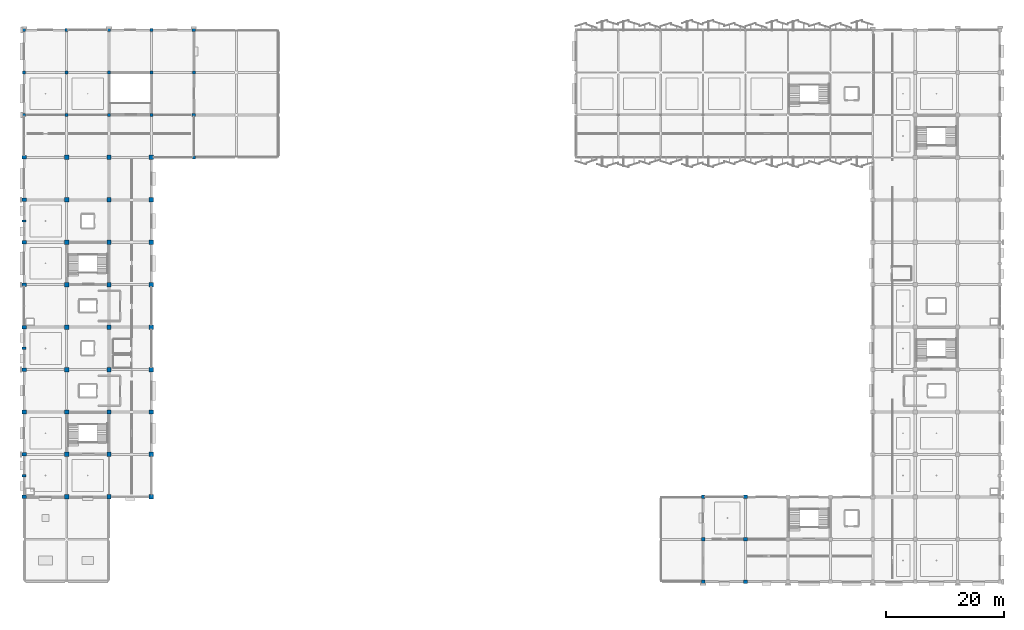
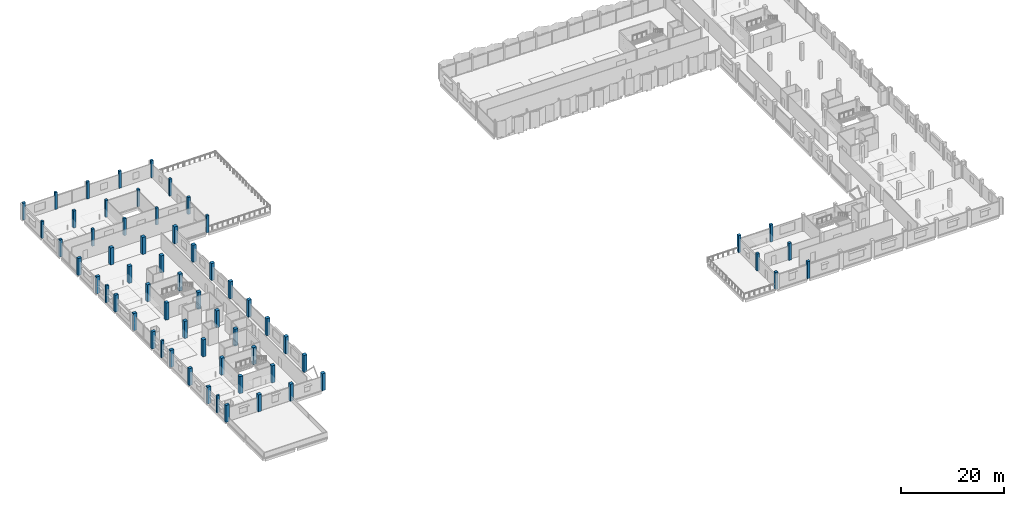
# One storey, part 1 of 91: 61 columns.
"""IFC4 building model written with IfcOpenShell, lengths in metres."""

from ifc_helpers import new_model, si_unit, direction, frame, origin, origin_2d, place, context, subcontext, project, spatial, rectangle, extrude, material, material_profile, profile_set, type_object, element, save


model = new_model("IFC4")

# Units and contexts
model_context = context("Model", 3, precision=1e-05, world=origin(), true_north=direction((0.0, 1.0)))
body_context = subcontext(model_context, "Body", "Model", "MODEL_VIEW")
ifc_project = project(units=[si_unit("LENGTHUNIT", "METRE"), si_unit("AREAUNIT", "SQUARE_METRE"), si_unit("VOLUMEUNIT", "CUBIC_METRE"), si_unit("PLANEANGLEUNIT", "RADIAN"), si_unit("MASSUNIT", "GRAM", prefix="KILO")], contexts=[model_context])

# Site, building, storey
site_placement = place(None, origin())
site = spatial("IfcSite", under=ifc_project, at=site_placement, CompositionType="ELEMENT")
building_placement = place(site_placement, origin())
building = spatial("IfcBuilding", under=site, at=building_placement, Name="Kangsadwip Square Police Headquarters", CompositionType="ELEMENT")
storey_placement = place(building_placement, frame((0.0, 0.0, 13.5)))
storey = spatial("IfcBuildingStorey", under=building, at=storey_placement, Name="L03", CompositionType="ELEMENT", Elevation=13.5)

# Columns
ifc_material_1 = material(Name="Concrete M35 (35 MPa)", Category="concrete")
ifc_material_profile_1 = material_profile(ifc_material_1, rectangle(XDim=0.5, YDim=0.5, at=origin_2d()), Name="RC COL 500X500")
ifc_profile_set_1 = profile_set([ifc_material_profile_1], Name="Concrete M35 (35 MPa)")
column_type_1 = type_object("IfcColumnType", Name="RcCol500x500", PredefinedType="COLUMN", material=ifc_profile_set_1)
for number, where, z_axis, x_axis, name in (
    (1, (0.0, 108.0, 0.0), (0.0, 0.0, 1.0), (1.0, 0.0, 0.0), "Column COL-L03-00-15"),
    (2, (7.199951171875, 100.800048828125, 0.0), (0.0, 0.0, 1.0), (1.0, 0.0, 0.0), "Column COL-L03-01-14"),
    (3, (7.199951171875, 115.199951171875, 0.0), (0.0, 0.0, 1.0), (1.0, 0.0, 0.0), "Column COL-L03-01-16"),
    (4, (14.39990234375, 108.0, 0.0), (0.0, 0.0, 1.0), (1.0, 0.0, 0.0), "Column COL-L03-02-15"),
    (5, (21.60009765625, 100.800048828125, 0.0), (0.0, 0.0, 1.0), (1.0, 0.0, 0.0), "Column COL-L03-03-14"),
    (6, (21.60009765625, 115.199951171875, 0.0), (0.0, 0.0, 1.0), (1.0, 0.0, 0.0), "Column COL-L03-03-16"),
    (7, (28.800048828125, 93.60009765625, 0.0), (0.0, 0.0, 1.0), (1.0, 0.0, 0.0), "Column COL-L03-04-13"),
    (8, (28.800048828125, 108.0, 0.0), (0.0, 0.0, 1.0), (1.0, 0.0, 0.0), "Column COL-L03-04-15"),
):
    element("IfcColumn", number, at=place(storey_placement, frame(where, z_axis=z_axis, x_axis=x_axis)), inside=storey, type_object=column_type_1, Name=name, PredefinedType="COLUMN", context=body_context, shape_type="SweptSolid", body=[
        extrude(rectangle(XDim=0.5, YDim=0.5, at=origin_2d()), origin(), (0.0, 0.0, 1.0), 4.050048828125),
    ])
ifc_material_2 = material(Name="Concrete M35 (35 MPa)", Category="concrete")
ifc_material_profile_2 = material_profile(ifc_material_2, rectangle(XDim=0.550048828125, YDim=0.550048828125, at=origin_2d()), Name="RC COL 550X550")
ifc_profile_set_2 = profile_set([ifc_material_profile_2], Name="Concrete M35 (35 MPa)")
column_type_2 = type_object("IfcColumnType", Name="RcCol550x550", PredefinedType="COLUMN", material=ifc_profile_set_2)
for number, where, z_axis, x_axis, name in (
    (9, (0.0, 100.800048828125, 0.0), (0.0, 0.0, 1.0), (1.0, 0.0, 0.0), "Column COL-L03-00-14"),
    (10, (0.0, 115.199951171875, 0.0), (0.0, 0.0, 1.0), (1.0, 0.0, 0.0), "Column COL-L03-00-16"),
    (11, (7.199951171875, 108.0, 0.0), (0.0, 0.0, 1.0), (1.0, 0.0, 0.0), "Column COL-L03-01-15"),
    (12, (14.39990234375, 100.800048828125, 0.0), (0.0, 0.0, 1.0), (1.0, 0.0, 0.0), "Column COL-L03-02-14"),
    (13, (14.39990234375, 115.199951171875, 0.0), (0.0, 0.0, 1.0), (1.0, 0.0, 0.0), "Column COL-L03-02-16"),
    (14, (21.60009765625, 108.0, 0.0), (0.0, 0.0, 1.0), (1.0, 0.0, 0.0), "Column COL-L03-03-15"),
    (15, (28.800048828125, 100.800048828125, 0.0), (0.0, 0.0, 1.0), (1.0, 0.0, 0.0), "Column COL-L03-04-14"),
    (16, (28.800048828125, 115.199951171875, 0.0), (0.0, 0.0, 1.0), (1.0, 0.0, 0.0), "Column COL-L03-04-16"),
):
    element("IfcColumn", number, at=place(storey_placement, frame(where, z_axis=z_axis, x_axis=x_axis)), inside=storey, type_object=column_type_2, Name=name, PredefinedType="COLUMN", context=body_context, shape_type="SweptSolid", body=[
        extrude(rectangle(XDim=0.550048828125, YDim=0.550048828125, at=origin_2d()), origin(), (0.0, 0.0, 1.0), 4.050048828125),
    ])
ifc_material_3 = material(Name="Concrete M35 (35 MPa)", Category="concrete")
ifc_material_profile_3 = material_profile(ifc_material_3, rectangle(XDim=0.60009765625, YDim=0.60009765625, at=origin_2d()), Name="RC COL 600X600")
ifc_profile_set_3 = profile_set([ifc_material_profile_3], Name="Concrete M35 (35 MPa)")
column_type_3 = type_object("IfcColumnType", Name="RcCol600x600", PredefinedType="COLUMN", material=ifc_profile_set_3)
for number, where, z_axis, x_axis, name in (
    (17, (115.199951171875, 21.60009765625, 0.0), (0.0, 0.0, 1.0), (1.0, 0.0, 0.0), "Column COL-L03-16-03"),
    (18, (115.199951171875, 28.800048828125, 0.0), (0.0, 0.0, 1.0), (1.0, 0.0, 0.0), "Column COL-L03-16-04"),
    (19, (115.199951171875, 36.0, 0.0), (0.0, 0.0, 1.0), (1.0, 0.0, 0.0), "Column COL-L03-16-05"),
    (20, (122.39990234375, 21.60009765625, 0.0), (0.0, 0.0, 1.0), (1.0, 0.0, 0.0), "Column COL-L03-17-03"),
    (21, (122.39990234375, 28.800048828125, 0.0), (0.0, 0.0, 1.0), (1.0, 0.0, 0.0), "Column COL-L03-17-04"),
    (22, (122.39990234375, 36.0, 0.0), (0.0, 0.0, 1.0), (1.0, 0.0, 0.0), "Column COL-L03-17-05"),
):
    element("IfcColumn", number, at=place(storey_placement, frame(where, z_axis=z_axis, x_axis=x_axis)), inside=storey, type_object=column_type_3, Name=name, PredefinedType="COLUMN", context=body_context, shape_type="SweptSolid", body=[
        extrude(rectangle(XDim=0.60009765625, YDim=0.60009765625, at=origin_2d()), origin(), (0.0, 0.0, 1.0), 4.050048828125),
    ])
ifc_material_4 = material(Name="Concrete M40 (40 MPa)", Category="concrete")
ifc_material_profile_4 = material_profile(ifc_material_4, rectangle(XDim=0.75, YDim=0.75, at=origin_2d()), Name="RC COL 750X750")
ifc_profile_set_4 = profile_set([ifc_material_profile_4], Name="Concrete M40 (40 MPa)")
column_type_4 = type_object("IfcColumnType", Name="RcCol750x750", PredefinedType="COLUMN", material=ifc_profile_set_4)
for number, where, z_axis, x_axis, name in (
    (23, (7.199951171875, 36.0, 0.0), (0.0, 0.0, 1.0), (1.0, 0.0, 0.0), "Column COL-L03-01-05"),
    (24, (7.199951171875, 43.199951171875, 0.0), (0.0, 0.0, 1.0), (1.0, 0.0, 0.0), "Column COL-L03-01-06"),
    (25, (7.199951171875, 50.39990234375, 0.0), (0.0, 0.0, 1.0), (1.0, 0.0, 0.0), "Column COL-L03-01-07"),
    (26, (7.199951171875, 57.60009765625, 0.0), (0.0, 0.0, 1.0), (1.0, 0.0, 0.0), "Column COL-L03-01-08"),
    (27, (7.199951171875, 64.800048828125, 0.0), (0.0, 0.0, 1.0), (1.0, 0.0, 0.0), "Column COL-L03-01-09"),
    (28, (7.199951171875, 72.0, 0.0), (0.0, 0.0, 1.0), (1.0, 0.0, 0.0), "Column COL-L03-01-10"),
    (29, (7.199951171875, 79.199951171875, 0.0), (0.0, 0.0, 1.0), (1.0, 0.0, 0.0), "Column COL-L03-01-11"),
    (30, (7.199951171875, 86.39990234375, 0.0), (0.0, 0.0, 1.0), (1.0, 0.0, 0.0), "Column COL-L03-01-12"),
    (31, (7.199951171875, 93.60009765625, 0.0), (0.0, 0.0, 1.0), (1.0, 0.0, 0.0), "Column COL-L03-01-13"),
    (32, (14.39990234375, 36.0, 0.0), (0.0, 0.0, 1.0), (1.0, 0.0, 0.0), "Column COL-L03-02-05"),
    (33, (14.39990234375, 43.199951171875, 0.0), (0.0, 0.0, 1.0), (1.0, 0.0, 0.0), "Column COL-L03-02-06"),
    (34, (14.39990234375, 50.39990234375, 0.0), (0.0, 0.0, 1.0), (1.0, 0.0, 0.0), "Column COL-L03-02-07"),
    (35, (14.39990234375, 57.60009765625, 0.0), (0.0, 0.0, 1.0), (1.0, 0.0, 0.0), "Column COL-L03-02-08"),
    (36, (14.39990234375, 64.800048828125, 0.0), (0.0, 0.0, 1.0), (1.0, 0.0, 0.0), "Column COL-L03-02-09"),
    (37, (14.39990234375, 72.0, 0.0), (0.0, 0.0, 1.0), (1.0, 0.0, 0.0), "Column COL-L03-02-10"),
    (38, (14.39990234375, 79.199951171875, 0.0), (0.0, 0.0, 1.0), (1.0, 0.0, 0.0), "Column COL-L03-02-11"),
    (39, (14.39990234375, 86.39990234375, 0.0), (0.0, 0.0, 1.0), (1.0, 0.0, 0.0), "Column COL-L03-02-12"),
    (40, (14.39990234375, 93.60009765625, 0.0), (0.0, 0.0, 1.0), (1.0, 0.0, 0.0), "Column COL-L03-02-13"),
    (41, (21.60009765625, 36.0, 0.0), (0.0, 0.0, 1.0), (1.0, 0.0, 0.0), "Column COL-L03-03-05"),
    (42, (21.60009765625, 43.199951171875, 0.0), (0.0, 0.0, 1.0), (1.0, 0.0, 0.0), "Column COL-L03-03-06"),
    (43, (21.60009765625, 50.39990234375, 0.0), (0.0, 0.0, 1.0), (1.0, 0.0, 0.0), "Column COL-L03-03-07"),
    (44, (21.60009765625, 57.60009765625, 0.0), (0.0, 0.0, 1.0), (1.0, 0.0, 0.0), "Column COL-L03-03-08"),
    (45, (21.60009765625, 64.800048828125, 0.0), (0.0, 0.0, 1.0), (1.0, 0.0, 0.0), "Column COL-L03-03-09"),
    (46, (21.60009765625, 72.0, 0.0), (0.0, 0.0, 1.0), (1.0, 0.0, 0.0), "Column COL-L03-03-10"),
    (47, (21.60009765625, 79.199951171875, 0.0), (0.0, 0.0, 1.0), (1.0, 0.0, 0.0), "Column COL-L03-03-11"),
    (48, (21.60009765625, 86.39990234375, 0.0), (0.0, 0.0, 1.0), (1.0, 0.0, 0.0), "Column COL-L03-03-12"),
    (49, (21.60009765625, 93.60009765625, 0.0), (0.0, 0.0, 1.0), (1.0, 0.0, 0.0), "Column COL-L03-03-13"),
):
    element("IfcColumn", number, at=place(storey_placement, frame(where, z_axis=z_axis, x_axis=x_axis)), inside=storey, type_object=column_type_4, Name=name, PredefinedType="COLUMN", context=body_context, shape_type="SweptSolid", body=[
        extrude(rectangle(XDim=0.75, YDim=0.75, at=origin_2d()), origin(), (0.0, 0.0, 1.0), 4.050048828125),
    ])
ifc_material_5 = material(Name="Concrete M40 (40 MPa)", Category="concrete")
ifc_material_profile_5 = material_profile(ifc_material_5, rectangle(XDim=0.60009765625, YDim=0.800048828125, at=origin_2d()), Name="RC COL 800X600")
ifc_profile_set_5 = profile_set([ifc_material_profile_5], Name="Concrete M40 (40 MPa)")
column_type_5 = type_object("IfcColumnType", Name="RcCol800x600", PredefinedType="COLUMN", material=ifc_profile_set_5)
for number, where, z_axis, x_axis, name in (
    (50, (0.0, 36.0, 0.0), (0.0, 0.0, 1.0), (0.0, 1.0, 0.0), "Column COL-L03-00-05"),
    (51, (0.0, 43.199951171875, 0.0), (0.0, 0.0, 1.0), (0.0, 1.0, 0.0), "Column COL-L03-00-06"),
    (52, (0.0, 50.39990234375, 0.0), (0.0, 0.0, 1.0), (0.0, 1.0, 0.0), "Column COL-L03-00-07"),
    (53, (0.0, 57.60009765625, 0.0), (0.0, 0.0, 1.0), (0.0, 1.0, 0.0), "Column COL-L03-00-08"),
    (54, (0.0, 64.800048828125, 0.0), (0.0, 0.0, 1.0), (0.0, 1.0, 0.0), "Column COL-L03-00-09"),
    (55, (0.0, 72.0, 0.0), (0.0, 0.0, 1.0), (0.0, 1.0, 0.0), "Column COL-L03-00-10"),
    (56, (0.0, 79.199951171875, 0.0), (0.0, 0.0, 1.0), (0.0, 1.0, 0.0), "Column COL-L03-00-11"),
    (57, (0.0, 86.39990234375, 0.0), (0.0, 0.0, 1.0), (0.0, 1.0, 0.0), "Column COL-L03-00-12"),
    (58, (0.0, 93.60009765625, 0.0), (0.0, 0.0, 1.0), (0.0, 1.0, 0.0), "Column COL-L03-00-13"),
):
    element("IfcColumn", number, at=place(storey_placement, frame(where, z_axis=z_axis, x_axis=x_axis)), inside=storey, type_object=column_type_5, Name=name, PredefinedType="COLUMN", context=body_context, shape_type="SweptSolid", body=[
        extrude(rectangle(XDim=0.60009765625, YDim=0.800048828125, at=origin_2d()), origin(), (0.0, 0.0, 1.0), 4.050048828125),
    ])
ifc_material_6 = material(Name="Concrete M40 (40 MPa)", Category="concrete")
ifc_material_profile_6 = material_profile(ifc_material_6, rectangle(XDim=0.39990234375, YDim=0.64990234375, at=origin_2d()), Name="RC PIL 650X400")
ifc_profile_set_6 = profile_set([ifc_material_profile_6], Name="Concrete M40 (40 MPa)")
column_type_6 = type_object("IfcColumnType", Name="RcPil650x400", PredefinedType="PILASTER", material=ifc_profile_set_6)
for number, where, z_axis, x_axis, name in (
    (59, (0.0, 39.60009765625, 0.0), (0.0, 0.0, 1.0), (0.0, 1.0, 0.0), "Colonnade Pilaster PIL-L03-005"),
    (60, (0.0, 61.199951171875, 0.0), (0.0, 0.0, 1.0), (0.0, 1.0, 0.0), "Colonnade Pilaster PIL-L03-014"),
    (61, (0.0, 82.800048828125, 0.0), (0.0, 0.0, 1.0), (0.0, 1.0, 0.0), "Colonnade Pilaster PIL-L03-023"),
):
    element("IfcColumn", number, at=place(storey_placement, frame(where, z_axis=z_axis, x_axis=x_axis)), inside=storey, type_object=column_type_6, Name=name, PredefinedType="PILASTER", context=body_context, shape_type="SweptSolid", body=[
        extrude(rectangle(XDim=0.39990234375, YDim=0.64990234375, at=origin_2d()), origin(), (0.0, 0.0, 1.0), 4.050048828125),
    ])

save(model, "model.ifc")
